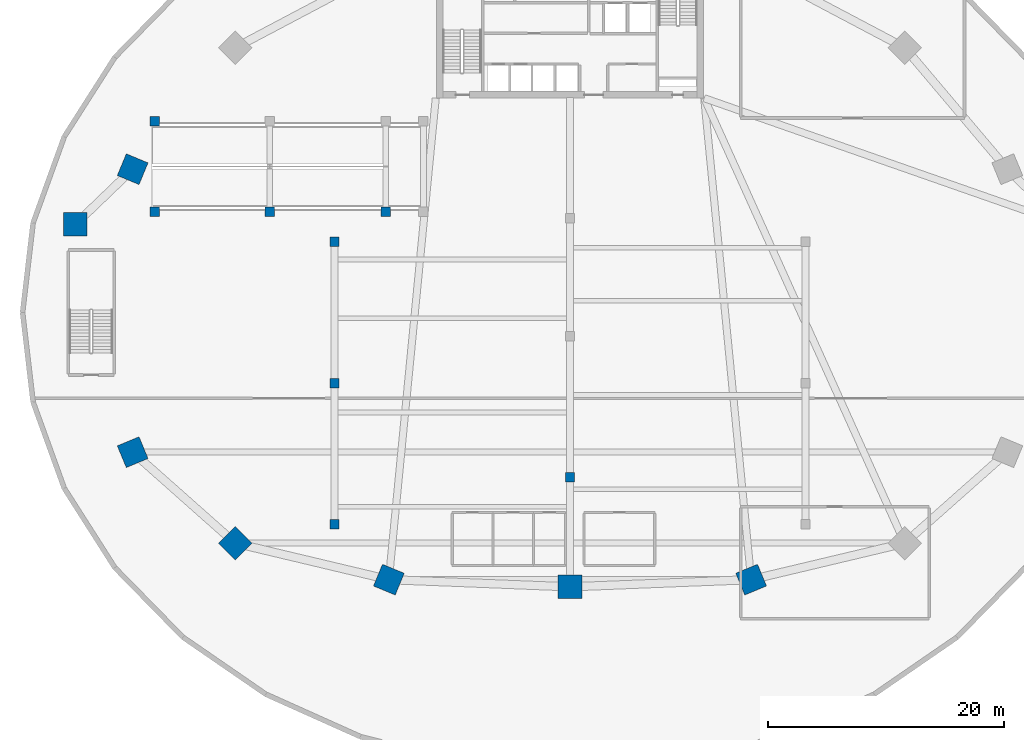
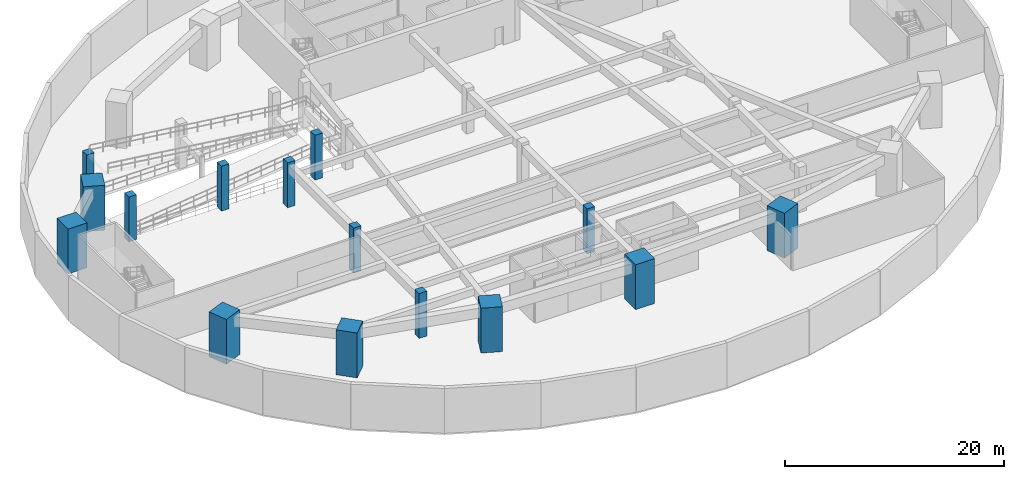
# One storey, part 1 of 10: 15 columns.
"""IFC4 building model written with IfcOpenShell, lengths in metres."""

from ifc_helpers import new_model, si_unit, direction, frame, origin, origin_2d, place, context, subcontext, project, spatial, rectangle, extrude, source, transform, mapped, material, material_profile, profile_set, type_object, type_shapes, element, save


model = new_model("IFC4")

# Units and contexts
model_context = context("Model", 3, precision=1e-05, world=origin(), true_north=direction((0.0, 1.0)))
body_context = subcontext(model_context, "Body", "Model", "MODEL_VIEW")
ifc_project = project(units=[si_unit("LENGTHUNIT", "METRE"), si_unit("AREAUNIT", "SQUARE_METRE"), si_unit("VOLUMEUNIT", "CUBIC_METRE"), si_unit("PLANEANGLEUNIT", "RADIAN"), si_unit("MASSUNIT", "GRAM", prefix="KILO")], contexts=[model_context])

# Site, building, storey
site_placement = place(None, origin())
site = spatial("IfcSite", under=ifc_project, at=site_placement, CompositionType="ELEMENT")
building_placement = place(site_placement, origin())
building = spatial("IfcBuilding", under=site, at=building_placement, Name="Breltana Convention Tower", CompositionType="ELEMENT")
storey_placement = place(building_placement, frame((0.0, 0.0, -5.0)))
storey = spatial("IfcBuildingStorey", under=building, at=storey_placement, Name="B01", CompositionType="ELEMENT", Elevation=-5.0)

# Columns
ifc_material_1 = material(Name="Concrete C60/75", Category="concrete")
ifc_material_profile_1 = material_profile(ifc_material_1, rectangle(XDim=2.0, YDim=2.0, at=origin_2d()), Name="RC-COL-2000X2000")
ifc_profile_set_1 = profile_set([ifc_material_profile_1], Name="Concrete C60/75")
column_type_1 = type_object("IfcColumnType", Name="COL-MC-2000", PredefinedType="COLUMN", material=ifc_profile_set_1)
shared_shape_1 = source(origin(), body_context, "Body", "SweptSolid", [
    extrude(rectangle(XDim=2.0, YDim=2.0, at=origin_2d()), origin(), (0.0, 0.0, 1.0), 5.0),
])
type_shapes(column_type_1, [shared_shape_1])
for number, where, z_axis, x_axis, name in (
    (1, (10.860107421875, 54.169189453125, 0.0), (0.0, 0.0, 1.0), (-0.923879532511, 0.382683432365, 0.0), "B01 Podium Mega-Column MC-08"),
    (2, (6.0, 49.5, 0.0), (0.0, 0.0, 1.0), (-1.0, 0.0, 0.0), "B01 Podium Mega-Column MC-09"),
    (3, (10.860107421875, 30.136962890625, 0.0), (0.0, 0.0, 1.0), (-0.923879532511, -0.382683432365, 0.0), "B01 Podium Mega-Column MC-10"),
    (4, (19.57421875, 22.412109375, 0.0), (0.0, 0.0, 1.0), (-0.707106781187, -0.707106781187, 0.0), "B01 Podium Mega-Column MC-11"),
    (5, (32.6162109375, 19.3125, 0.0), (0.0, 0.0, 1.0), (-0.382683432365, -0.923879532511, 0.0), "B01 Podium Mega-Column MC-12"),
    (6, (48.0, 18.699951171875, 0.0), (0.0, 0.0, 1.0), (0.0, -1.0, 0.0), "B01 Podium Mega-Column MC-13"),
    (7, (63.3837890625, 19.3125, 0.0), (0.0, 0.0, 1.0), (0.382683432365, -0.923879532511, 0.0), "B01 Podium Mega-Column MC-14"),
):
    element("IfcColumn", number, at=place(storey_placement, frame(where, z_axis=z_axis, x_axis=x_axis)), inside=storey, type_object=column_type_1, Name=name, PredefinedType="COLUMN", context=body_context, shape_type="MappedRepresentation", body=[
        mapped(shared_shape_1, transform((0.0, 0.0, 0.0), scale=1.0)),
    ])
ifc_material_2 = material(Name="Concrete C50/60", Category="concrete")
ifc_material_profile_2 = material_profile(ifc_material_2, rectangle(XDim=0.800048828125, YDim=0.800048828125, at=origin_2d()), Name="RC-COL-800X800")
ifc_profile_set_2 = profile_set([ifc_material_profile_2], Name="Concrete C50/60")
column_type_2 = type_object("IfcColumnType", Name="COL-RC-800", PredefinedType="COLUMN", material=ifc_profile_set_2)
shared_shape_2 = source(origin(), body_context, "Body", "SweptSolid", [
    extrude(rectangle(XDim=0.800048828125, YDim=0.800048828125, at=origin_2d()), origin(), (0.0, 0.0, 1.0), 5.0),
])
type_shapes(column_type_2, [shared_shape_2])
for number, where, z_axis, x_axis, name in (
    (8, (28.0, 24.0, 0.0), (0.0, 0.0, 1.0), (1.0, 0.0, 0.0), "B01 Basement Parking Grid Column BG-W1"),
    (9, (28.0, 36.0, 0.0), (0.0, 0.0, 1.0), (1.0, 0.0, 0.0), "B01 Basement Parking Grid Column BG-W2"),
    (10, (28.0, 48.0, 0.0), (0.0, 0.0, 1.0), (1.0, 0.0, 0.0), "B01 Basement Parking Grid Column BG-W3"),
    (11, (48.0, 28.0, 0.0), (0.0, 0.0, 1.0), (1.0, 0.0, 0.0), "B01 Basement Parking Grid Column BG-C1"),
    (12, (12.75, 50.550048828125, 0.0), (0.0, 0.0, 1.0), (1.0, 0.0, 0.0), "B01 Vehicular Ramp Support Column 01"),
    (13, (12.75, 58.25, 0.0), (0.0, 0.0, 1.0), (1.0, 0.0, 0.0), "B01 Vehicular Ramp Support Column 02"),
    (14, (22.5, 50.550048828125, 0.0), (0.0, 0.0, 1.0), (1.0, 0.0, 0.0), "B01 Vehicular Ramp Support Column 03"),
    (15, (32.35009765625, 50.550048828125, 0.0), (0.0, 0.0, 1.0), (1.0, 0.0, 0.0), "B01 Vehicular Ramp Support Column 05"),
):
    element("IfcColumn", number, at=place(storey_placement, frame(where, z_axis=z_axis, x_axis=x_axis)), inside=storey, type_object=column_type_2, Name=name, PredefinedType="COLUMN", context=body_context, shape_type="MappedRepresentation", body=[
        mapped(shared_shape_2, transform((0.0, 0.0, 0.0), scale=1.0)),
    ])

save(model, "model.ifc")
